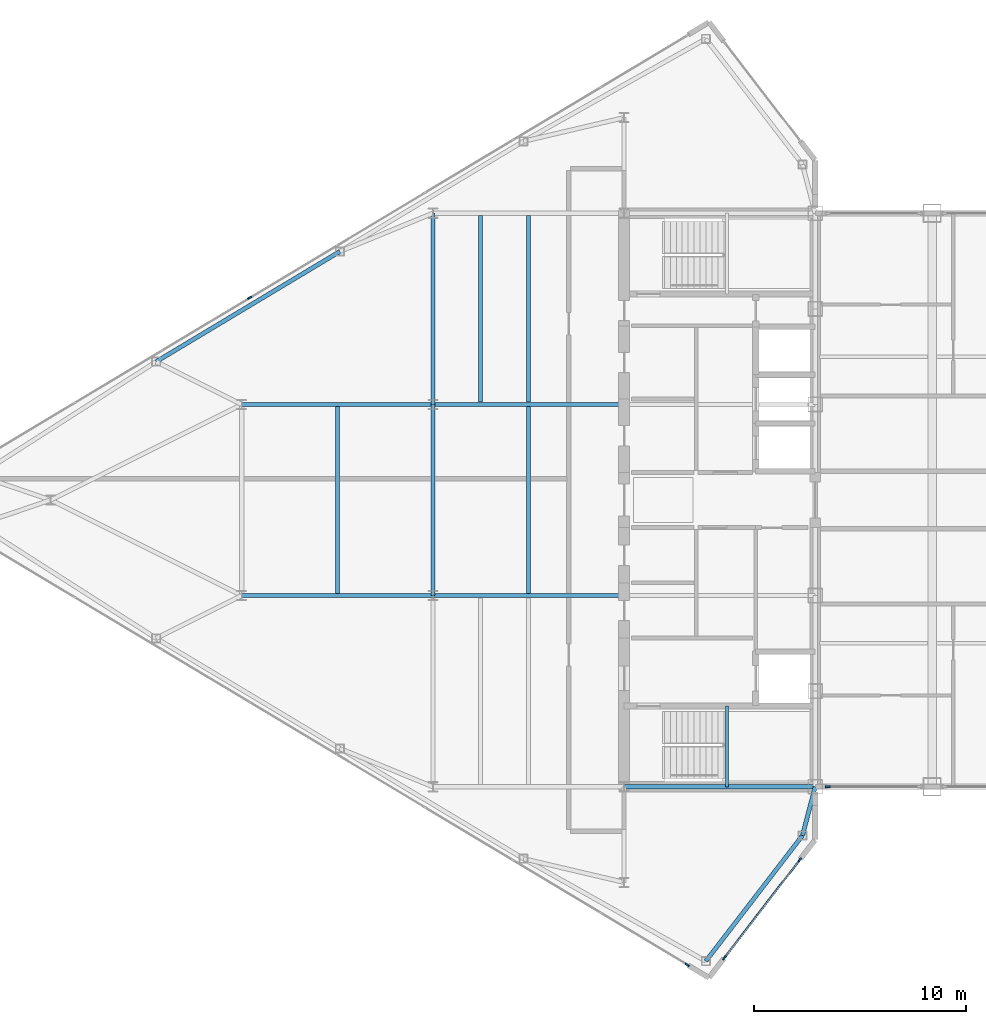
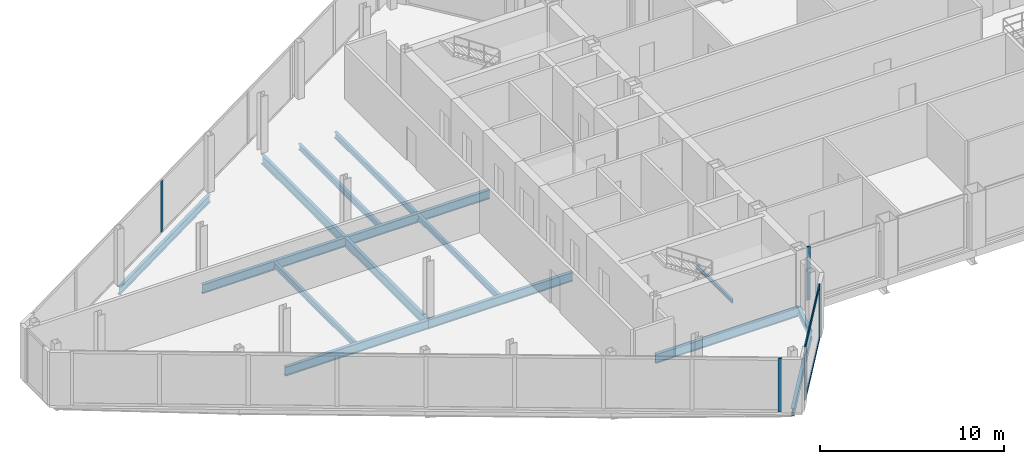
# One storey, part 9 of 29: 15 beams, 7 members, 4 elements without a shape of their own.
"""IFC4 building model written with IfcOpenShell, lengths in metres."""

from ifc_helpers import new_model, si_unit, direction, frame, origin, origin_2d, place, context, subcontext, project, spatial, rectangle, i_section, extrude, source, transform, mapped, material, layer, layer_set, material_profile, profile_set, type_object, type_shapes, element, aggregate, save


model = new_model("IFC4")

# Units and contexts
model_context = context("Model", 3, precision=1e-05, world=origin(), true_north=direction((0.0, 1.0)))
body_context = subcontext(model_context, "Body", "Model", "MODEL_VIEW")
ifc_project = project(units=[si_unit("LENGTHUNIT", "METRE"), si_unit("AREAUNIT", "SQUARE_METRE"), si_unit("VOLUMEUNIT", "CUBIC_METRE"), si_unit("PLANEANGLEUNIT", "RADIAN"), si_unit("MASSUNIT", "GRAM", prefix="KILO")], contexts=[model_context])

# Site, building, storey
site_placement = place(None, origin())
site = spatial("IfcSite", under=ifc_project, at=site_placement, CompositionType="ELEMENT")
building_placement = place(site_placement, origin())
building = spatial("IfcBuilding", under=site, at=building_placement, Name="Seokmaru Belvedere", CompositionType="ELEMENT")
storey_placement = place(building_placement, frame((0.0, 0.0, 258.14990234375)))
storey = spatial("IfcBuildingStorey", under=building, at=storey_placement, Name="L68", CompositionType="ELEMENT", Elevation=258.14990234375)

# Beams
ifc_material_1 = material(Name="Steel SM355 (355 MPa)", Category="steel")
ifc_material_profile_1 = material_profile(ifc_material_1, i_section(OverallWidth=0.199951171875, OverallDepth=0.60009765625, WebThickness=0.010986328125, FlangeThickness=0.01708984375, at=origin_2d()), Name="H-600x200x11x17")
ifc_profile_set_1 = profile_set([ifc_material_profile_1], Name="Steel SM355 (355 MPa)")
beam_type_1 = type_object("IfcBeamType", Name="Primary Floor Girder H-600", PredefinedType="BEAM", material=ifc_profile_set_1)
shared_shape_1 = source(origin(), body_context, "Body", "SweptSolid", [
    extrude(i_section(OverallWidth=0.199951171875, OverallDepth=0.60009765625, WebThickness=0.010986328125, FlangeThickness=0.01708984375, at=origin_2d()), origin(), (0.0, 0.0, 1.0), 9.0),
])
type_shapes(beam_type_1, [shared_shape_1])
for number, where, z_axis, x_axis, name in (
    (1, (-45.5, -4.5, -0.52001953125), (0.0, 1.0, 0.0), (-1.0, 0.0, 0.0), "L68 W Interior Grid Girder 2"),
    (2, (-45.5, 4.5, -0.52001953125), (0.0, 1.0, 0.0), (-1.0, 0.0, 0.0), "L68 W Interior Grid Girder 3"),
    (3, (-36.5, -13.5, -0.52001953125), (1.0, 0.0, 0.0), (0.0, 1.0, 0.0), "L68 W Core Tie Girder 1"),
    (4, (-45.5, -4.5, -0.52001953125), (1.0, 0.0, 0.0), (0.0, 1.0, 0.0), "L68 W Wing Primary Girder 2"),
    (5, (-45.5, 4.5, -0.52001953125), (1.0, 0.0, 0.0), (0.0, 1.0, 0.0), "L68 W Wing Primary Girder 3"),
    (6, (-54.5, -4.5, -0.52001953125), (1.0, 0.0, 0.0), (0.0, 1.0, 0.0), "L68 W Outer Wing Girder 1"),
    (7, (-54.5, 4.5, -0.52001953125), (1.0, 0.0, 0.0), (0.0, 1.0, 0.0), "L68 W Outer Wing Girder 2"),
):
    element("IfcBeam", number, at=place(storey_placement, frame(where, z_axis=z_axis, x_axis=x_axis)), inside=storey, type_object=beam_type_1, Name=name, PredefinedType="BEAM", context=body_context, shape_type="MappedRepresentation", body=[
        mapped(shared_shape_1, transform((0.0, 0.0, 0.0), scale=1.0)),
    ])
ifc_material_profile_2 = material_profile(ifc_material_1, i_section(OverallWidth=0.18505859375, OverallDepth=0.389892578125, WebThickness=0.008056640625, FlangeThickness=0.011962890625, at=origin_2d()), Name="H-390x185x8x12")
ifc_profile_set_2 = profile_set([ifc_material_profile_2], Name="Steel SM355 (355 MPa)")
beam_type_2 = type_object("IfcBeamType", Name="Secondary Floor Joist H-350", PredefinedType="JOIST", material=ifc_profile_set_2)
shared_shape_2 = source(origin(), body_context, "Body", "SweptSolid", [
    extrude(i_section(OverallWidth=0.18505859375, OverallDepth=0.389892578125, WebThickness=0.008056640625, FlangeThickness=0.011962890625, at=origin_2d()), origin(), (0.0, 0.0, 1.0), 8.7900390625),
])
type_shapes(beam_type_2, [shared_shape_2])
for number, where, z_axis, x_axis, name in (
    (8, (-43.25, 4.60498046875, -0.414794921875), (0.0, 1.0, 0.0), (-1.0, 0.0, 0.0), "L68 W Wing Inner Secondary Joist 2"),
    (9, (-41.0, -4.39501953125, -0.414794921875), (0.0, 1.0, 0.0), (-1.0, 0.0, 0.0), "L68 W Secondary Floor Joist 2"),
    (10, (-41.0, 4.60498046875, -0.414794921875), (0.0, 1.0, 0.0), (-1.0, 0.0, 0.0), "L68 W Secondary Floor Joist 3"),
    (11, (-50.0, -4.39501953125, -0.414794921875), (0.0, 1.0, 0.0), (-1.0, 0.0, 0.0), "L68 W Outer Bay Secondary Joist"),
):
    element("IfcBeam", number, at=place(storey_placement, frame(where, z_axis=z_axis, x_axis=x_axis)), inside=storey, type_object=beam_type_2, Name=name, PredefinedType="JOIST", context=body_context, shape_type="MappedRepresentation", body=[
        mapped(shared_shape_2, transform((0.0, 0.0, 0.0), scale=1.0)),
    ])
ifc_material_profile_3 = material_profile(ifc_material_1, i_section(OverallWidth=0.199951171875, OverallDepth=0.5, WebThickness=0.010009765625, FlangeThickness=0.01611328125, at=origin_2d()), Name="H-500x200x10x16")
ifc_profile_set_3 = profile_set([ifc_material_profile_3], Name="Steel SM355 (355 MPa)")
beam_type_3 = type_object("IfcBeamType", Name="Perimeter Spandrel Beam H-500", PredefinedType="SPANDREL", material=ifc_profile_set_3)
shared_shape_3 = source(origin(), body_context, "Body", "SweptSolid", [
    extrude(i_section(OverallWidth=0.199951171875, OverallDepth=0.5, WebThickness=0.010009765625, FlangeThickness=0.01611328125, at=origin_2d()), origin(), (0.0, 0.0, 1.0), 10.087646484375),
])
beam_1_placement = place(storey_placement, frame((-49.8798828125, 11.698974609375, -0.469970703125), z_axis=(-0.857488654804, -0.514502873542, 0.0), x_axis=(0.514502873542, -0.857488654804, 0.0)))
element("IfcBeam", 12, at=beam_1_placement, inside=storey, type_object=beam_type_3, Name="L68 W Faceted Flank Spandrel N-3", PredefinedType="SPANDREL", context=body_context, shape_type="MappedRepresentation", body=[
    mapped(shared_shape_3, transform((0.0, 0.0, 0.0), scale=1.0)),
])
shared_shape_4 = source(origin(), body_context, "Body", "SweptSolid", [
    extrude(i_section(OverallWidth=0.199951171875, OverallDepth=0.5, WebThickness=0.010009765625, FlangeThickness=0.01611328125, at=origin_2d()), origin(), (0.0, 0.0, 1.0), 7.4619140625),
])
beam_2_placement = place(storey_placement, frame((-32.649658203125, -21.71044921875, -0.469970703125), z_axis=(0.609702854945, 0.792630070507, 0.0), x_axis=(-0.792630070507, 0.609702854945, 0.0)))
element("IfcBeam", 13, at=beam_2_placement, inside=storey, type_object=beam_type_3, Name="L68 W Shoulder Chamfer Spandrel S", PredefinedType="SPANDREL", context=body_context, shape_type="MappedRepresentation", body=[
    mapped(shared_shape_4, transform((0.0, 0.0, 0.0), scale=1.0)),
])
shared_shape_5 = source(origin(), body_context, "Body", "SweptSolid", [
    extrude(i_section(OverallWidth=0.199951171875, OverallDepth=0.5, WebThickness=0.010009765625, FlangeThickness=0.01611328125, at=origin_2d()), origin(), (0.0, 0.0, 1.0), 2.373046875),
])
type_shapes(beam_type_3, [shared_shape_3, shared_shape_4, shared_shape_5])
beam_3_placement = place(storey_placement, frame((-28.10009765625, -15.7958984375, -0.469970703125), z_axis=(0.252882558842, 0.967496982648, 0.0), x_axis=(-0.967496982648, 0.252882558842, 0.0)))
element("IfcBeam", 14, at=beam_3_placement, inside=storey, type_object=beam_type_3, Name="L68 W Shoulder Spine Spandrel S", PredefinedType="SPANDREL", context=body_context, shape_type="MappedRepresentation", body=[
    mapped(shared_shape_5, transform((0.0, 0.0, 0.0), scale=1.0)),
])

# Curtain wall, members
ifc_material_2 = material(Name="Bronze Triple Insulating Glass", Category="glass")
ifc_layer = layer(ifc_material_2, 0.219970703125)
ifc_layer_set = layer_set([ifc_layer], Name="Bronze Triple Insulating Glass")
curtain_wall_type = type_object("IfcCurtainWallType", Name="Sky-Gate Bridge Panorama Curtain Wall System CW-6", PredefinedType="NOTDEFINED", material=ifc_layer_set)
curtain_wall_1_placement = place(storey_placement, origin())
curtain_wall_1 = element("IfcCurtainWall", 15, at=curtain_wall_1_placement, inside=storey, type_object=curtain_wall_type, Name="L68 Curtain Wall WF6", PredefinedType="NOTDEFINED")
ifc_material_3 = material(Name="Anodised Bronze Aluminium", Category="aluminium")
ifc_material_profile_4 = material_profile(ifc_material_3, rectangle(XDim=0.074951171875, YDim=0.179931640625, at=origin_2d()), Name="CW-T-75x180")
ifc_profile_set_4 = profile_set([ifc_material_profile_4], Name="Anodised Bronze Aluminium")
member_type_1 = type_object("IfcMemberType", Name="Bronze Unitised Transom 75x180", PredefinedType="USERDEFINED", material=ifc_profile_set_4)
shared_shape_6 = source(origin(), body_context, "Body", "SweptSolid", [
    extrude(rectangle(XDim=0.074951171875, YDim=0.179931640625, at=origin_2d()), origin(), (0.0, 0.0, 1.0), 5.74072265625),
])
type_shapes(member_type_1, [shared_shape_6])
member_1_placement = place(storey_placement, frame((-31.75, -21.525146484375, 0.03759765625), z_axis=(0.609686097287, 0.792642960465, 0.0), x_axis=(-0.792642960465, 0.609686097287, 0.0)))
member_1 = element("IfcMember", 16, at=member_1_placement, type_object=member_type_1, Name="CW:L68:WF6 Continuous Transom 1", ObjectType="TRANSOM", PredefinedType="USERDEFINED", context=body_context, shape_type="MappedRepresentation", body=[
    mapped(shared_shape_6, transform((0.0, 0.0, 0.0), scale=1.0)),
])
member_2_placement = place(storey_placement, frame((-31.75, -21.525146484375, 3.49267578125), z_axis=(0.609686097287, 0.792642960465, 0.0), x_axis=(-0.792642960465, 0.609686097287, 0.0)))
member_2 = element("IfcMember", 17, at=member_2_placement, type_object=member_type_1, Name="CW:L68:WF6 Continuous Transom 2", ObjectType="TRANSOM", PredefinedType="USERDEFINED", context=body_context, shape_type="MappedRepresentation", body=[
    mapped(shared_shape_6, transform((0.0, 0.0, 0.0), scale=1.0)),
])

# Curtain wall, member
curtain_wall_2_placement = place(storey_placement, origin())
curtain_wall_2 = element("IfcCurtainWall", 18, at=curtain_wall_2_placement, inside=storey, type_object=curtain_wall_type, Name="L68 Curtain Wall WF5", PredefinedType="NOTDEFINED")
ifc_material_profile_5 = material_profile(ifc_material_3, rectangle(XDim=0.080078125, YDim=0.219970703125, at=origin_2d()), Name="CW-M-80x220")
ifc_profile_set_5 = profile_set([ifc_material_profile_5], Name="Anodised Bronze Aluminium")
member_type_2 = type_object("IfcMemberType", Name="Bronze Unitised Mullion 80x220", PredefinedType="MULLION", material=ifc_profile_set_5)
shared_shape_7 = source(origin(), body_context, "Body", "SweptSolid", [
    extrude(rectangle(XDim=0.080078125, YDim=0.219970703125, at=origin_2d()), origin(), (0.0, 0.0, 1.0), 3.530029296875),
])
member_3_placement = place(storey_placement, frame((-33.5205078125, -21.8876953125, 0.0), z_axis=(0.0, 0.0, 1.0), x_axis=(0.514494909364, 0.85749343335, 0.0)))
member_3 = element("IfcMember", 19, at=member_3_placement, type_object=member_type_2, Name="CW:L68:WF5 Mullion 9", PredefinedType="MULLION", context=body_context, shape_type="MappedRepresentation", body=[
    mapped(shared_shape_7, transform((0.0, 0.0, 0.0), scale=1.0)),
])
aggregate(curtain_wall_2, [member_3])

# Member
member_4_placement = place(storey_placement, frame((-31.7744140625, -21.556884765625, 0.0), z_axis=(0.0, 0.0, 1.0), x_axis=(-0.792631353244, 0.609701187349, 0.0)))
member_4 = element("IfcMember", 20, at=member_4_placement, type_object=member_type_2, Name="CW:L68:WF6 Mullion 1", PredefinedType="MULLION", context=body_context, shape_type="MappedRepresentation", body=[
    mapped(shared_shape_7, transform((0.0, 0.0, 0.0), scale=1.0)),
])

member_5_placement = place(storey_placement, frame((-28.2255859375, -16.943115234375, 0.0), z_axis=(0.0, 0.0, 1.0), x_axis=(-0.792631353244, 0.609701187349, 0.0)))
member_5 = element("IfcMember", 21, at=member_5_placement, type_object=member_type_2, Name="CW:L68:WF6 Mullion 2", PredefinedType="MULLION", context=body_context, shape_type="MappedRepresentation", body=[
    mapped(shared_shape_7, transform((0.0, 0.0, 0.0), scale=1.0)),
])

aggregate(curtain_wall_1, [member_4, member_5, member_1, member_2])

# Curtain wall, member
curtain_wall_3_placement = place(storey_placement, origin())
curtain_wall_3 = element("IfcCurtainWall", 22, at=curtain_wall_3_placement, inside=storey, type_object=curtain_wall_type, Name="L68 Curtain Wall BR_S01", PredefinedType="NOTDEFINED")
member_6_placement = place(storey_placement, frame((-26.909912109375, -13.5, 0.0), z_axis=(0.0, 0.0, 1.0), x_axis=(0.0, 1.0, 0.0)))
member_6 = element("IfcMember", 23, at=member_6_placement, type_object=member_type_2, Name="CW:L68:BR_S01 Mullion 1", PredefinedType="MULLION", context=body_context, shape_type="MappedRepresentation", body=[
    mapped(shared_shape_7, transform((0.0, 0.0, 0.0), scale=1.0)),
])
aggregate(curtain_wall_3, [member_6])

curtain_wall_4_placement = place(storey_placement, origin())
curtain_wall_4 = element("IfcCurtainWall", 24, at=curtain_wall_4_placement, inside=storey, type_object=curtain_wall_type, Name="L68 Curtain Wall WF3", PredefinedType="NOTDEFINED")
shared_shape_8 = source(origin(), body_context, "Body", "SweptSolid", [
    extrude(rectangle(XDim=0.080078125, YDim=0.219970703125, at=origin_2d()), origin(), (0.0, 0.0, 1.0), 3.3798828125),
])
type_shapes(member_type_2, [shared_shape_7, shared_shape_8])
member_7_placement = place(storey_placement, frame((-54.12841796875, 9.52294921875, 0.0751953125), z_axis=(0.0, 0.0, 1.0), x_axis=(0.514494909364, -0.85749343335, 0.0)))
member_7 = element("IfcMember", 25, at=member_7_placement, type_object=member_type_2, Name="CW:L68:WF3 Mullion 6", PredefinedType="MULLION", context=body_context, shape_type="MappedRepresentation", body=[
    mapped(shared_shape_8, transform((0.0, 0.0, 0.0), scale=1.0)),
])
aggregate(curtain_wall_4, [member_7])

# Beam
ifc_material_profile_6 = material_profile(ifc_material_1, i_section(OverallWidth=0.125, OverallDepth=0.25, WebThickness=0.006103515625, FlangeThickness=0.009033203125, at=origin_2d()), Name="H-250x125x6x9")
ifc_profile_set_6 = profile_set([ifc_material_profile_6], Name="Steel SM355 (355 MPa)")
beam_type_4 = type_object("IfcBeamType", Name="Stair Mid-Landing Support Beam H-250", PredefinedType="JOIST", material=ifc_profile_set_6)
shared_shape_9 = source(origin(), body_context, "Body", "SweptSolid", [
    extrude(i_section(OverallWidth=0.125, OverallDepth=0.25, WebThickness=0.006103515625, FlangeThickness=0.009033203125, at=origin_2d()), origin(), (0.0, 0.0, 1.0), 3.800048828125),
])
type_shapes(beam_type_4, [shared_shape_9])
beam_4_placement = place(storey_placement, frame((-31.64990234375, -13.5, 1.550048828125), z_axis=(0.0, 1.0, 0.0), x_axis=(-1.0, 0.0, 0.0)))
element("IfcBeam", 26, at=beam_4_placement, inside=storey, type_object=beam_type_4, Name="L68 Stair ST-W1 Mid-Landing Support Beam 1", PredefinedType="JOIST", context=body_context, shape_type="MappedRepresentation", body=[
    mapped(shared_shape_9, transform((0.0, 0.0, 0.0), scale=1.0)),
])

save(model, "model.ifc")
